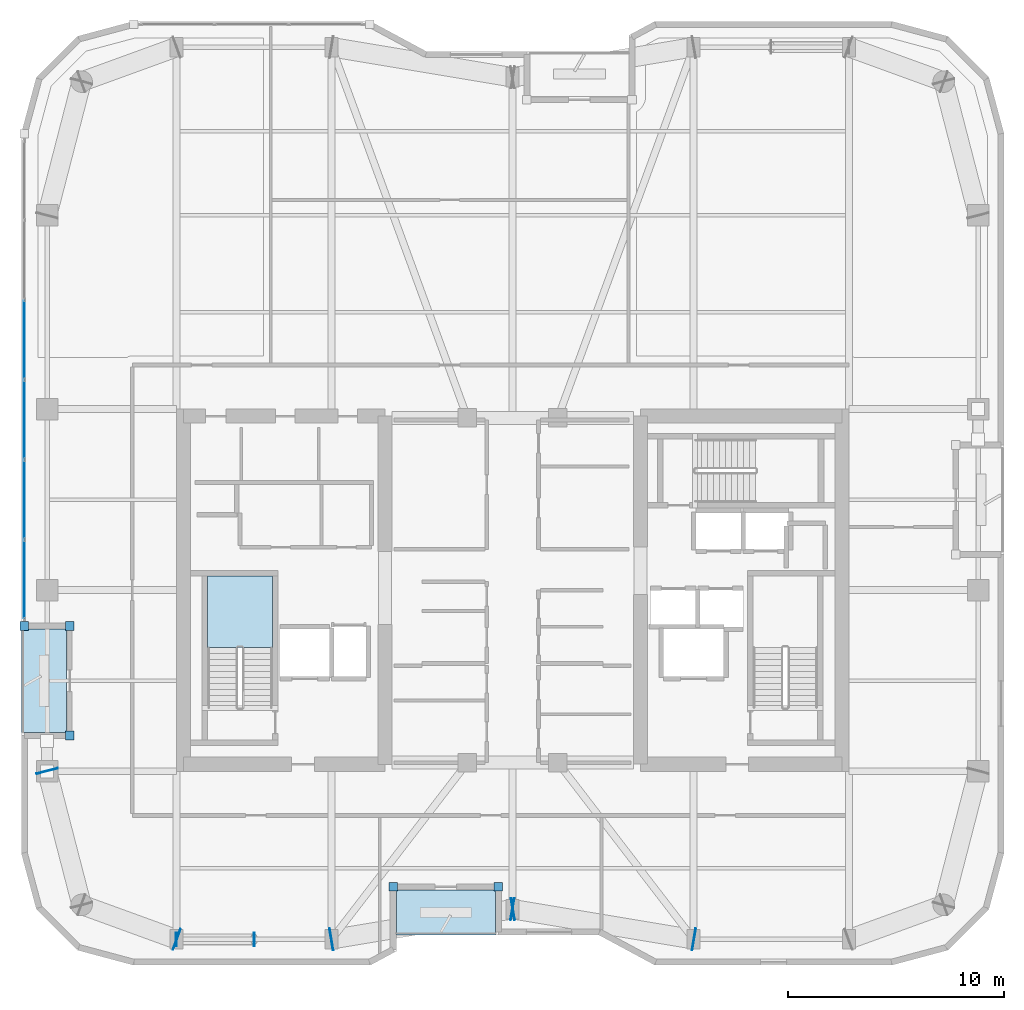
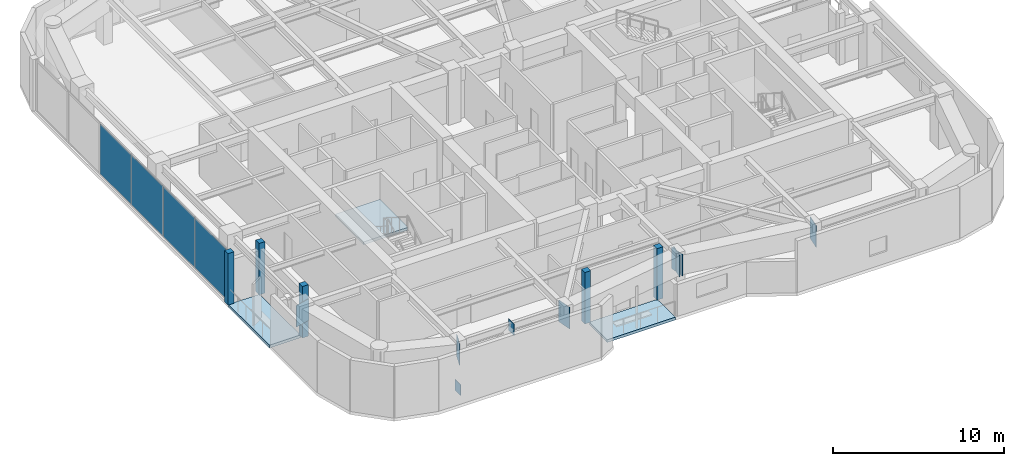
# One storey, part 12 of 21: 17 plates, 3 slabs, 2 elements without a shape of their own.
"""IFC4 building model written with IfcOpenShell, lengths in metres."""

from ifc_helpers import new_model, si_unit, direction, frame, origin, origin_2d, place, context, subcontext, project, spatial, polyline, rectangle, outline, extrude, material, layer, layer_set, type_object, element, aggregate, save


model = new_model("IFC4")

# Units and contexts
model_context = context("Model", 3, precision=1e-05, world=origin(), true_north=direction((0.0, 1.0)))
body_context = subcontext(model_context, "Body", "Model", "MODEL_VIEW")
ifc_project = project(units=[si_unit("LENGTHUNIT", "METRE"), si_unit("AREAUNIT", "SQUARE_METRE"), si_unit("VOLUMEUNIT", "CUBIC_METRE"), si_unit("PLANEANGLEUNIT", "RADIAN"), si_unit("MASSUNIT", "GRAM", prefix="KILO")], contexts=[model_context])

# Site, building, storey
site_placement = place(None, origin())
site = spatial("IfcSite", under=ifc_project, at=site_placement, CompositionType="ELEMENT")
building_placement = place(site_placement, origin())
building = spatial("IfcBuilding", under=site, at=building_placement, Name="Kiyonajd Concourse Tower", CompositionType="ELEMENT")
storey_placement = place(building_placement, frame((0.0, 0.0, 231.0)))
storey = spatial("IfcBuildingStorey", under=building, at=storey_placement, Name="L58", CompositionType="ELEMENT", Elevation=231.0)

# Plates
ifc_material_1 = material(Name="Steel ASTM A572 Grade 50", Category="steel")
ifc_layer_1 = layer(ifc_material_1, 0.028076171875)
ifc_layer_set_1 = layer_set([ifc_layer_1], Name="Steel ASTM A572 Grade 50")
plate_type_1 = type_object("IfcPlateType", Name="PL-CAP-450", PredefinedType="USERDEFINED", material=ifc_layer_set_1)
for number, where, z_axis, x_axis, name in (
    (1, (32.3916015625, 19.800048828125, -0.10888671875), (0.0, 0.0, 1.0), (-1.0, 0.0, 0.0), "L58 Hollow Brace End Cap Plate PBS"),
    (2, (36.00830078125, 19.800048828125, 2.93505859375), (0.0, 0.0, 1.0), (1.0, 0.0, 0.0), "L58 Hollow Brace Top Cap Plate PBS"),
):
    element("IfcPlate", number, at=place(storey_placement, frame(where, z_axis=z_axis, x_axis=x_axis)), inside=storey, type_object=plate_type_1, Name=name, ObjectType="CAP PLATE", PredefinedType="USERDEFINED", context=body_context, shape_type="SweptSolid", body=[
        extrude(rectangle(XDim=0.035888671875, YDim=0.6279296875, at=origin_2d()), origin(), (0.0, 0.0, 1.0), 0.803955078125),
    ])
ifc_layer_2 = layer(ifc_material_1, 0.031982421875)
ifc_layer_set_2 = layer_set([ifc_layer_2], Name="Steel ASTM A572 Grade 50")
plate_type_2 = type_object("IfcPlateType", Name="PL-CAP-540", PredefinedType="USERDEFINED", material=ifc_layer_set_2)
for number, where, z_axis, x_axis, name in (
    (3, (26.397216796875, 27.610595703125, 2.2099609375), (0.0, 0.0, 1.0), (-0.249873048837, 0.968278606324, 0.0), "L58 Welded Box Girder End Cap"),
    (4, (32.410400390625, 19.796142578125, 2.2099609375), (0.0, 0.0, 1.0), (0.939811951086, -0.341692107891, 0.0), "L58 Welded Box Girder End Cap"),
    (5, (39.589111328125, 19.798095703125, 2.2099609375), (0.0, 0.0, 1.0), (-0.986400586142, -0.164359008451, 0.0), "L58 Welded Box Girder End Cap"),
    (6, (48.010986328125, 21.201904296875, 2.2099609375), (0.0, 0.0, 1.0), (0.986400586142, 0.164359008451, 0.0), "L58 Welded Box Girder End Cap"),
    (7, (47.989013671875, 21.201904296875, 2.2099609375), (0.0, 0.0, 1.0), (-0.986400586142, 0.164359008451, 0.0), "L58 Welded Box Girder End Cap"),
    (8, (56.410888671875, 19.798095703125, 2.2099609375), (0.0, 0.0, 1.0), (0.986400586142, -0.164359008451, 0.0), "L58 Welded Box Girder End Cap"),
):
    element("IfcPlate", number, at=place(storey_placement, frame(where, z_axis=z_axis, x_axis=x_axis)), inside=storey, type_object=plate_type_2, Name=name, ObjectType="CAP PLATE", PredefinedType="USERDEFINED", context=body_context, shape_type="SweptSolid", body=[
        extrude(rectangle(XDim=0.035888671875, YDim=1.02001953125, at=origin_2d()), origin(), (0.0, 0.0, 1.0), 1.5400390625),
    ])

# Curtain wall, plates
ifc_material_2 = material(Name="Thermally Broken Anodised Aluminium", Category="aluminium")
ifc_layer_3 = layer(ifc_material_2, 0.179931640625)
ifc_layer_set_3 = layer_set([ifc_layer_3], Name="Thermally Broken Anodised Aluminium")
curtain_wall_type = type_object("IfcCurtainWallType", Name="CW-SYS-04", PredefinedType="NOTDEFINED", material=ifc_layer_set_3)
curtain_wall_placement = place(storey_placement, origin())
curtain_wall = element("IfcCurtainWall", 9, at=curtain_wall_placement, inside=storey, type_object=curtain_wall_type, Name="L58 Unitised Curtain Wall CW4", PredefinedType="NOTDEFINED")
ifc_material_3 = material(Name="Double Low-E Insulated Glass", Category="glass")
ifc_layer_4 = layer(ifc_material_3, 0.033935546875)
ifc_layer_set_4 = layer_set([ifc_layer_4], Name="Double Low-E Insulated Glass")
plate_type_3 = type_object("IfcPlateType", Name="PL-CW-VIS34", PredefinedType="CURTAIN_PANEL", material=ifc_layer_set_4)
plate_1_placement = place(storey_placement, frame((25.340087890625, 36.50146484375, 0.06494140625), z_axis=(0.0, 0.0, 1.0), x_axis=(0.0, 1.0, 0.0)))
plate_1 = element("IfcPlate", 10, at=plate_1_placement, type_object=plate_type_3, Name="CW4 panel 1.1", PredefinedType="CURTAIN_PANEL", context=body_context, shape_type="SweptSolid", body=[
    extrude(rectangle(XDim=3.61279296875, YDim=0.033935546875, at=origin_2d()), origin(), (0.0, 0.0, 1.0), 3.550048828125),
])
plate_2_placement = place(storey_placement, frame((25.340087890625, 40.1953125, 0.06494140625), z_axis=(0.0, 0.0, 1.0), x_axis=(0.0, 1.0, 0.0)))
plate_2 = element("IfcPlate", 11, at=plate_2_placement, type_object=plate_type_3, Name="CW4 panel 2.1", PredefinedType="CURTAIN_PANEL", context=body_context, shape_type="SweptSolid", body=[
    extrude(rectangle(XDim=3.645263671875, YDim=0.033935546875, at=origin_2d()), origin(), (0.0, 0.0, 1.0), 3.550048828125),
])
plate_3_placement = place(storey_placement, frame((25.340087890625, 43.90576171875, 0.06494140625), z_axis=(0.0, 0.0, 1.0), x_axis=(0.0, 1.0, 0.0)))
plate_3 = element("IfcPlate", 12, at=plate_3_placement, type_object=plate_type_3, Name="CW4 panel 3.1", PredefinedType="CURTAIN_PANEL", context=body_context, shape_type="SweptSolid", body=[
    extrude(rectangle(XDim=3.645263671875, YDim=0.033935546875, at=origin_2d()), origin(), (0.0, 0.0, 1.0), 3.550048828125),
])
plate_4_placement = place(storey_placement, frame((25.340087890625, 47.615966796875, 0.06494140625), z_axis=(0.0, 0.0, 1.0), x_axis=(0.0, 1.0, 0.0)))
plate_4 = element("IfcPlate", 13, at=plate_4_placement, type_object=plate_type_3, Name="CW4 panel 4.1", PredefinedType="CURTAIN_PANEL", context=body_context, shape_type="SweptSolid", body=[
    extrude(rectangle(XDim=3.645263671875, YDim=0.033935546875, at=origin_2d()), origin(), (0.0, 0.0, 1.0), 3.550048828125),
])
aggregate(curtain_wall, [plate_1, plate_2, plate_3, plate_4])

# Plates
ifc_layer_5 = layer(ifc_material_2, 0.39990234375)
ifc_layer_set_5 = layer_set([ifc_layer_5], Name="Thermally Broken Anodised Aluminium")
plate_type_4 = type_object("IfcPlateType", Name="PL-JMB-400", PredefinedType="USERDEFINED", material=ifc_layer_set_5)
for number, where, z_axis, x_axis, name in (
    (14, (27.43994140625, 29.260009765625, 0.0), (0.0, 0.0, 1.0), (1.0, 0.0, 0.0), "L58 Facade Jamb Closure Plate 01"),
    (15, (27.43994140625, 34.340087890625, 0.0), (0.0, 0.0, 1.0), (1.0, 0.0, 0.0), "L58 Facade Jamb Closure Plate 02"),
    (16, (25.340087890625, 34.340087890625, 0.0), (0.0, 0.0, 1.0), (1.0, 0.0, 0.0), "L58 Facade Jamb Closure Plate 03"),
    (17, (47.340087890625, 22.239990234375, 0.0), (0.0, 0.0, 1.0), (1.0, 0.0, 0.0), "L58 Facade Jamb Closure Plate 11"),
    (18, (42.4599609375, 22.239990234375, 0.0), (0.0, 0.0, 1.0), (1.0, 0.0, 0.0), "L58 Facade Jamb Closure Plate 12"),
):
    element("IfcPlate", number, at=place(storey_placement, frame(where, z_axis=z_axis, x_axis=x_axis)), inside=storey, type_object=plate_type_4, Name=name, ObjectType="JAMB PLATE", PredefinedType="USERDEFINED", context=body_context, shape_type="SweptSolid", body=[
        extrude(rectangle(XDim=0.39990234375, YDim=0.39990234375, at=origin_2d()), origin(), (0.0, 0.0, 1.0), 3.679931640625),
    ])

# Stair, slab
ifc_material_4 = material(Name="Concrete C40/50", Category="concrete")
stair_type = type_object("IfcStairType", Name="ST-DLG-22R", PredefinedType="HALF_TURN_STAIR", material=ifc_material_4)
stair_placement = place(storey_placement, origin())
stair = element("IfcStair", 19, at=stair_placement, inside=storey, type_object=stair_type, Name="L58 Protected Exit Stair ST1", PredefinedType="HALF_TURN_STAIR")
ifc_layer_6 = layer(ifc_material_4, 0.199951171875)
ifc_layer_set_6 = layer_set([ifc_layer_6], Name="Concrete C40/50")
slab_type_1 = type_object("IfcSlabType", Name="SL-LND-200", PredefinedType="LANDING", material=ifc_layer_set_6)
slab_1_placement = place(storey_placement, frame((0.0, 0.0, 1.75)))
slab_1 = element("IfcSlab", 20, at=slab_1_placement, type_object=slab_type_1, Name="ST1 landing 1", PredefinedType="LANDING", context=body_context, shape_type="SweptSolid", body=[
    extrude(outline(polyline([(36.85009765625, 33.35009765625), (36.85009765625, 36.64990234375), (33.85009765625, 36.64990234375), (33.85009765625, 33.35009765625), (36.85009765625, 33.35009765625)])), origin(), (0.0, 0.0, 1.0), 0.199951171875),
])
aggregate(stair, [slab_1])

# Slabs
ifc_material_5 = material(Name="Precast concrete C50/60", Category="concrete")
ifc_layer_7 = layer(ifc_material_5, 0.199951171875)
ifc_layer_set_7 = layer_set([ifc_layer_7], Name="Precast concrete C50/60")
slab_type_2 = type_object("IfcSlabType", Name="SL-LOG-200", PredefinedType="FLOOR", material=ifc_layer_set_7)
slab_2_placement = place(storey_placement, frame((0.0, 0.0, -0.199951171875)))
element("IfcSlab", 21, at=slab_2_placement, inside=storey, type_object=slab_type_2, Name="L58 Recessed Engawa Loggia Terrace Slab LOG-S", PredefinedType="FLOOR", context=body_context, shape_type="SweptSolid", body=[
    extrude(outline(polyline([(42.60009765625, 20.0), (47.199951171875, 20.0), (47.199951171875, 22.10009765625), (42.60009765625, 22.10009765625), (42.60009765625, 20.0)])), origin(), (0.0, 0.0, 1.0), 0.199951171875),
])
slab_3_placement = place(storey_placement, frame((0.0, 0.0, -0.199951171875)))
element("IfcSlab", 22, at=slab_3_placement, inside=storey, type_object=slab_type_2, Name="L58 Recessed Engawa Loggia Terrace Slab LOG-W", PredefinedType="FLOOR", context=body_context, shape_type="SweptSolid", body=[
    extrude(outline(polyline([(25.199951171875, 29.39990234375), (27.300048828125, 29.39990234375), (27.300048828125, 34.199951171875), (25.199951171875, 34.199951171875), (25.199951171875, 29.39990234375)])), origin(), (0.0, 0.0, 1.0), 0.199951171875),
])

save(model, "model.ifc")
